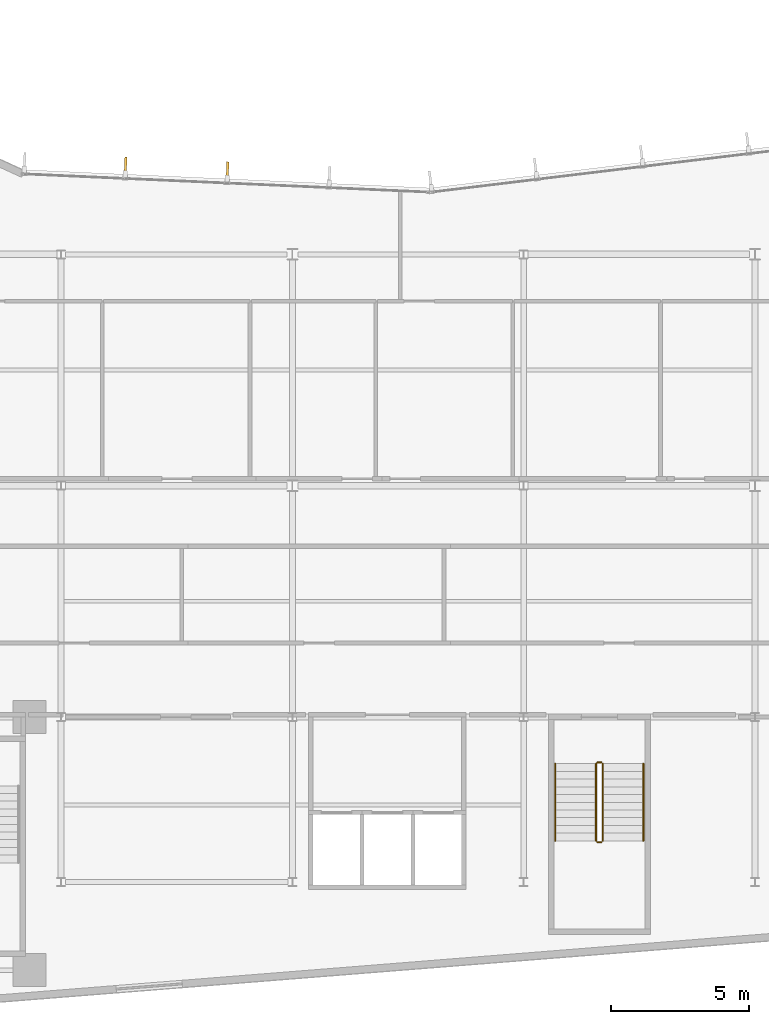
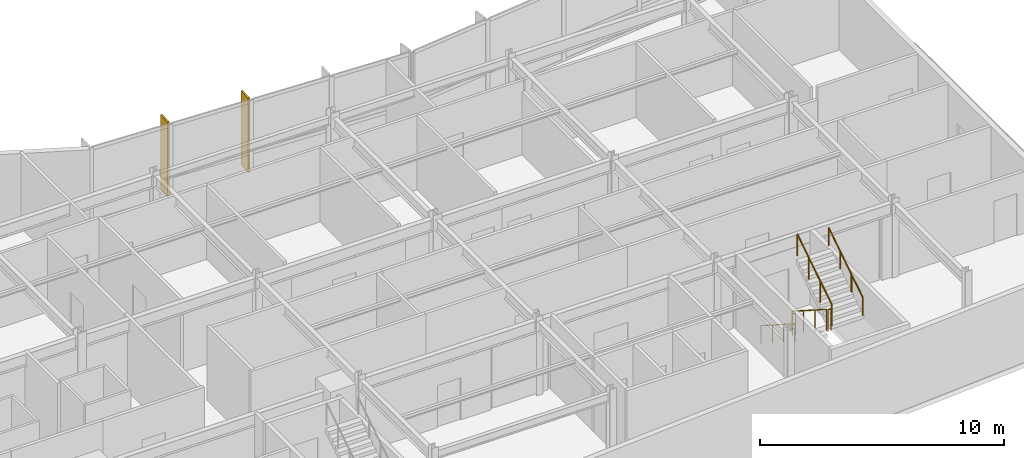
# One storey, part 15 of 18: 6 railings, 2 shading devices.
"""IFC4 building model written with IfcOpenShell, lengths in metres."""

from ifc_helpers import new_model, si_unit, direction, frame, origin, origin_2d, place, context, subcontext, project, spatial, rectangle, circle, extrude, material, layer, layer_set, type_object, element, save


model = new_model("IFC4")

# Units and contexts
model_context = context("Model", 3, precision=1e-05, world=origin(), true_north=direction((0.0, 1.0)))
body_context = subcontext(model_context, "Body", "Model", "MODEL_VIEW")
ifc_project = project(units=[si_unit("LENGTHUNIT", "METRE"), si_unit("AREAUNIT", "SQUARE_METRE"), si_unit("VOLUMEUNIT", "CUBIC_METRE"), si_unit("PLANEANGLEUNIT", "RADIAN"), si_unit("MASSUNIT", "GRAM", prefix="KILO")], contexts=[model_context])

# Site, building, storey
site_placement = place(None, origin())
site = spatial("IfcSite", under=ifc_project, at=site_placement, CompositionType="ELEMENT")
building_placement = place(site_placement, origin())
building = spatial("IfcBuilding", under=site, at=building_placement, Name="Varnakote Quay Hospital", CompositionType="ELEMENT")
storey_placement = place(building_placement, frame((0.0, 0.0, 154.699951171875)))
storey = spatial("IfcBuildingStorey", under=building, at=storey_placement, Name="L38", CompositionType="ELEMENT", Elevation=154.699951171875)

# Railings
ifc_material_1 = material(Name="Brushed stainless steel balustrade", Category="steel")
railing_type_1 = type_object("IfcRailingType", Name="RLG-STAIR-GUARD-1150", PredefinedType="GUARDRAIL", material=ifc_material_1)
railing_1_placement = place(storey_placement, frame((44.6298828125, 10.300048828125, 0.1796875)))
element("IfcRailing", 1, at=railing_1_placement, inside=storey, type_object=railing_type_1, Name="L38 ST-03 stair guard 1", PredefinedType="GUARDRAIL", context=body_context, shape_type="SweptSolid", body=[
    extrude(circle(Radius=0.02392578125, at=origin_2d()), frame((0.0, 0.0, 1.076171875), z_axis=(0.0, -0.841809871826, 0.539774156196), x_axis=(1.0, 0.0, 0.0)), (0.0, 0.0, 1.0), 3.326171875),
    extrude(circle(Radius=0.02099609375, at=origin_2d()), origin(), (0.0, 0.0, 1.0), 1.052001953125),
    extrude(circle(Radius=0.02099609375, at=origin_2d()), frame((0.0, -0.933349609375, 0.598388671875)), (0.0, 0.0, 1.0), 1.052001953125),
    extrude(circle(Radius=0.02099609375, at=origin_2d()), frame((0.0, -1.86669921875, 1.197021484375)), (0.0, 0.0, 1.0), 1.052001953125),
    extrude(circle(Radius=0.02099609375, at=origin_2d()), frame((0.0, -2.800048828125, 1.79541015625)), (0.0, 0.0, 1.0), 1.052001953125),
])
railing_2_placement = place(storey_placement, frame((44.679931640625, 7.449951171875, 1.97509765625)))
element("IfcRailing", 2, at=railing_2_placement, inside=storey, type_object=railing_type_1, Name="L38 ST-03 stair guard 2", PredefinedType="GUARDRAIL", context=body_context, shape_type="SweptSolid", body=[
    extrude(circle(Radius=0.02392578125, at=origin_2d()), frame((0.0, 0.0, 1.076171875), z_axis=(1.0, 0.0, 0.0), x_axis=(0.0, 1.0, 0.0)), (0.0, 0.0, 1.0), 0.14013671875),
    extrude(circle(Radius=0.02099609375, at=origin_2d()), origin(), (0.0, 0.0, 1.0), 1.052001953125),
    extrude(circle(Radius=0.02099609375, at=origin_2d()), frame((0.14013671875, 0.0, 0.0)), (0.0, 0.0, 1.0), 1.052001953125),
])
railing_3_placement = place(storey_placement, frame((44.8701171875, 7.5, 2.154541015625)))
element("IfcRailing", 3, at=railing_3_placement, inside=storey, type_object=railing_type_1, Name="L38 ST-03 stair guard 3", PredefinedType="GUARDRAIL", context=body_context, shape_type="SweptSolid", body=[
    extrude(circle(Radius=0.02392578125, at=origin_2d()), frame((0.0, 0.0, 1.076171875), z_axis=(0.0, 0.841809871826, 0.539774156196), x_axis=(-1.0, 0.0, 0.0)), (0.0, 0.0, 1.0), 3.326171875),
    extrude(circle(Radius=0.02099609375, at=origin_2d()), origin(), (0.0, 0.0, 1.0), 1.052001953125),
    extrude(circle(Radius=0.02099609375, at=origin_2d()), frame((0.0, 0.933349609375, 0.598388671875)), (0.0, 0.0, 1.0), 1.052001953125),
    extrude(circle(Radius=0.02099609375, at=origin_2d()), frame((0.0, 1.86669921875, 1.197021484375)), (0.0, 0.0, 1.0), 1.052001953125),
    extrude(circle(Radius=0.02099609375, at=origin_2d()), frame((0.0, 2.800048828125, 1.79541015625)), (0.0, 0.0, 1.0), 1.052001953125),
])
railing_4_placement = place(storey_placement, frame((44.679931640625, 10.35009765625, 0.0)))
element("IfcRailing", 4, at=railing_4_placement, inside=storey, type_object=railing_type_1, Name="L38 ST-03 stair guard 4", PredefinedType="GUARDRAIL", context=body_context, shape_type="SweptSolid", body=[
    extrude(circle(Radius=0.02392578125, at=origin_2d()), frame((0.0, 0.0, 1.076171875), z_axis=(1.0, 0.0, 0.0), x_axis=(0.0, 1.0, 0.0)), (0.0, 0.0, 1.0), 0.14013671875),
    extrude(circle(Radius=0.02099609375, at=origin_2d()), origin(), (0.0, 0.0, 1.0), 1.052001953125),
    extrude(circle(Radius=0.02099609375, at=origin_2d()), frame((0.14013671875, 0.0, 0.0)), (0.0, 0.0, 1.0), 1.052001953125),
])
ifc_material_2 = material(Name="Brushed stainless steel handrail", Category="steel")
railing_type_2 = type_object("IfcRailingType", Name="RLG-STAIR-HND-920", PredefinedType="HANDRAIL", material=ifc_material_2)
railing_5_placement = place(storey_placement, frame((43.14990234375, 10.300048828125, 0.1796875)))
element("IfcRailing", 5, at=railing_5_placement, inside=storey, type_object=railing_type_2, Name="L38 ST-03 stair handrail 1", PredefinedType="HANDRAIL", context=body_context, shape_type="SweptSolid", body=[
    extrude(circle(Radius=0.02392578125, at=origin_2d()), frame((0.0, 0.0, 0.8759765625), z_axis=(0.0, -0.841809871826, 0.539774156196), x_axis=(1.0, 0.0, 0.0)), (0.0, 0.0, 1.0), 3.326171875),
    extrude(circle(Radius=0.02099609375, at=origin_2d()), origin(), (0.0, 0.0, 1.0), 0.851806640625),
    extrude(circle(Radius=0.02099609375, at=origin_2d()), frame((0.0, -0.933349609375, 0.598388671875)), (0.0, 0.0, 1.0), 0.851806640625),
    extrude(circle(Radius=0.02099609375, at=origin_2d()), frame((0.0, -1.86669921875, 1.197021484375)), (0.0, 0.0, 1.0), 0.851806640625),
    extrude(circle(Radius=0.02099609375, at=origin_2d()), frame((0.0, -2.800048828125, 1.79541015625)), (0.0, 0.0, 1.0), 0.851806640625),
])
railing_6_placement = place(storey_placement, frame((46.35009765625, 7.5, 2.154541015625)))
element("IfcRailing", 6, at=railing_6_placement, inside=storey, type_object=railing_type_2, Name="L38 ST-03 stair handrail 2", PredefinedType="HANDRAIL", context=body_context, shape_type="SweptSolid", body=[
    extrude(circle(Radius=0.02392578125, at=origin_2d()), frame((0.0, 0.0, 0.8759765625), z_axis=(0.0, 0.841809871826, 0.539774156196), x_axis=(-1.0, 0.0, 0.0)), (0.0, 0.0, 1.0), 3.326171875),
    extrude(circle(Radius=0.02099609375, at=origin_2d()), origin(), (0.0, 0.0, 1.0), 0.851806640625),
    extrude(circle(Radius=0.02099609375, at=origin_2d()), frame((0.0, 0.933349609375, 0.598388671875)), (0.0, 0.0, 1.0), 0.851806640625),
    extrude(circle(Radius=0.02099609375, at=origin_2d()), frame((0.0, 1.86669921875, 1.197021484375)), (0.0, 0.0, 1.0), 0.851806640625),
    extrude(circle(Radius=0.02099609375, at=origin_2d()), frame((0.0, 2.800048828125, 1.79541015625)), (0.0, 0.0, 1.0), 0.851806640625),
])

# Shading devices
ifc_material_3 = material(Name="Anodised aluminium 6063-T6 Bronze", Category="aluminium")
ifc_layer = layer(ifc_material_3, 0.0849609375)
ifc_layer_set = layer_set([ifc_layer], Name="Anodised aluminium 6063-T6 Bronze")
shading_device_type = type_object("IfcShadingDeviceType", Name="SHD-BRONZE-FIN-620", PredefinedType="USERDEFINED", material=ifc_layer_set)
for number, where, z_axis, x_axis, name in (
    (7, (31.244873046875, 31.85302734375, 0.0), (0.0, 0.0, 1.0), (-0.044839922168, -0.998994184858, 0.0), "L38 Anodised Bronze Vertical Shading FIN"),
    (8, (27.541748046875, 32.01904296875, 0.0), (0.0, 0.0, 1.0), (-0.044839922168, -0.998994184858, 0.0), "L38 Anodised Bronze Vertical Shading FIN"),
):
    element("IfcShadingDevice", number, at=place(storey_placement, frame(where, z_axis=z_axis, x_axis=x_axis)), inside=storey, type_object=shading_device_type, Name=name, ObjectType="FIN", PredefinedType="USERDEFINED", context=body_context, shape_type="SweptSolid", body=[
        extrude(rectangle(XDim=0.6201171875, YDim=0.0849609375, at=origin_2d()), origin(), (0.0, 0.0, 1.0), 3.7099609375),
    ])

save(model, "model.ifc")
